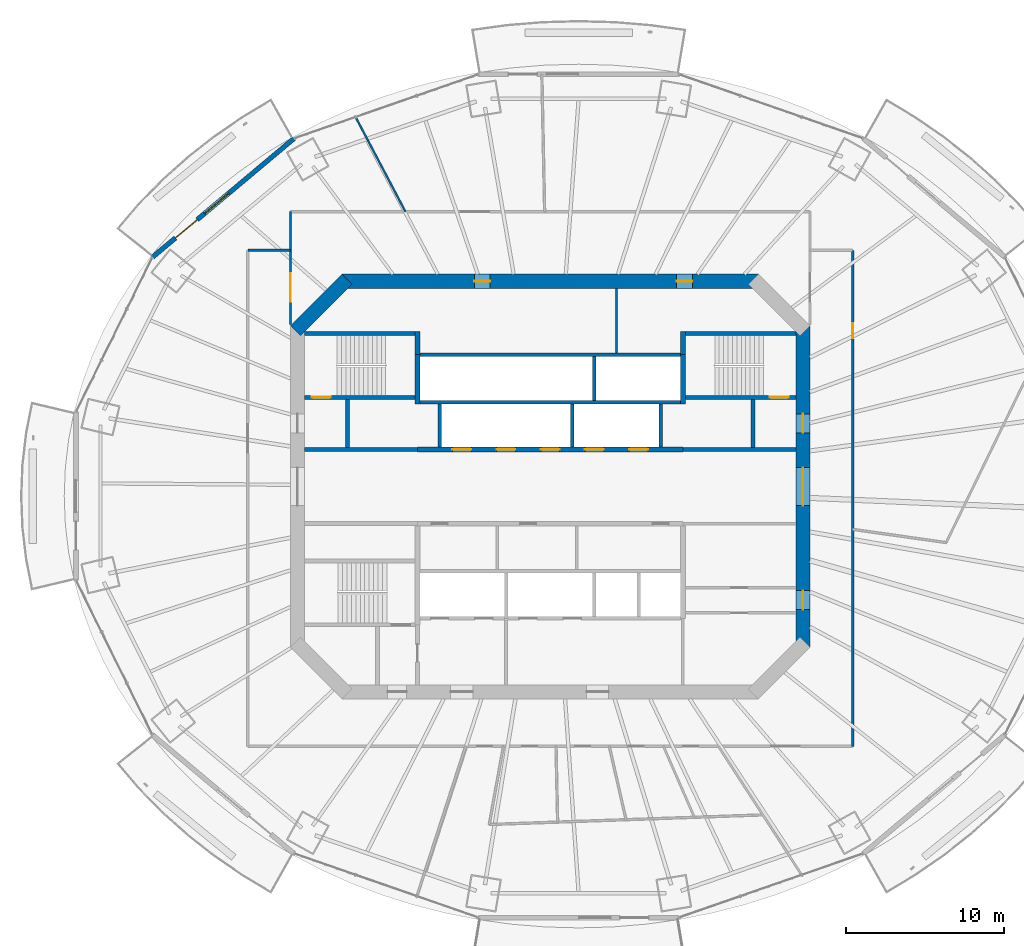
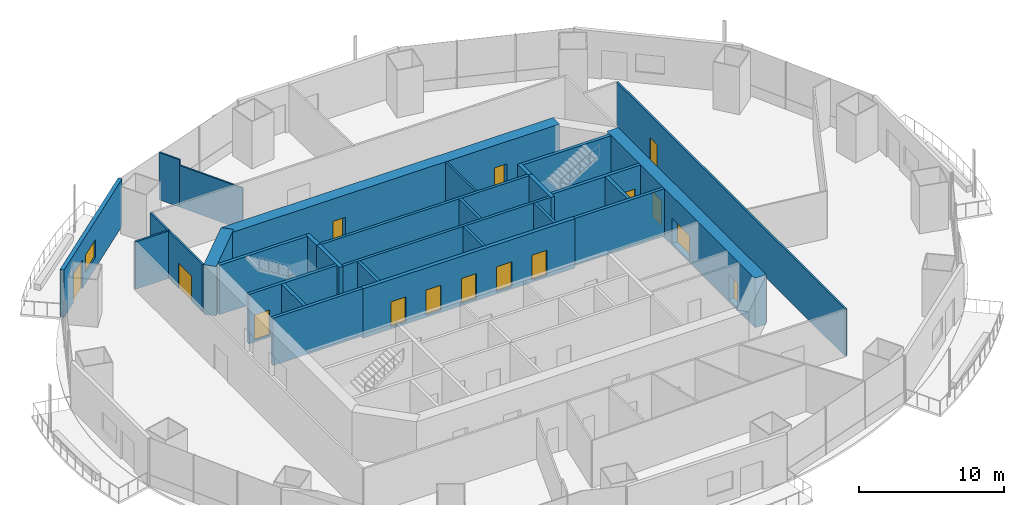
# One storey, part 13 of 20: 29 walls, 15 doors, 1 window, 16 openings.
"""IFC4 building model written with IfcOpenShell, lengths in metres."""

from ifc_helpers import new_model, si_unit, direction, frame, frame_2d, origin, place, context, subcontext, project, spatial, rectangle, extrude, material, layer, layer_set, type_object, element, fill, save


model = new_model("IFC4")

# Units and contexts
model_context = context("Model", 3, precision=1e-05, world=origin(), true_north=direction((0.0, 1.0)))
body_context = subcontext(model_context, "Body", "Model", "MODEL_VIEW")
ifc_project = project(units=[si_unit("LENGTHUNIT", "METRE"), si_unit("AREAUNIT", "SQUARE_METRE"), si_unit("VOLUMEUNIT", "CUBIC_METRE"), si_unit("PLANEANGLEUNIT", "RADIAN"), si_unit("MASSUNIT", "GRAM", prefix="KILO")], contexts=[model_context])

# Site, building, storey
site_placement = place(None, origin())
site = spatial("IfcSite", under=ifc_project, at=site_placement, CompositionType="ELEMENT")
building_placement = place(site_placement, origin())
building = spatial("IfcBuilding", under=site, at=building_placement, Name="Marenthal Gate Tower", CompositionType="ELEMENT")
storey_placement = place(building_placement, frame((0.0, 0.0, 177.64990234375)))
storey = spatial("IfcBuildingStorey", under=building, at=storey_placement, Name="L38", CompositionType="ELEMENT", Elevation=177.64990234375)

# Wall, openings, doors
ifc_material_1 = material(Name="Concrete 60 MPa", Category="concrete")
ifc_layer_1 = layer(ifc_material_1, 0.89990234375)
ifc_layer_set_1 = layer_set([ifc_layer_1], Name="Core shear wall 900")
wall_type_1 = type_object("IfcWallType", Name="Core shear wall 900", PredefinedType="SHEAR", material=ifc_layer_set_1)
wall_1_placement = place(storey_placement, frame((16.0, -10.186279296875, -0.179931640625), z_axis=(0.0, 0.0, 1.0), x_axis=(0.0, 1.0, 0.0)))
wall_1 = element("IfcWall", 1, at=wall_1_placement, inside=storey, type_object=wall_type_1, Name="Core wall 02", PredefinedType="SHEAR", context=body_context, shape_type="SweptSolid", body=[
    extrude(rectangle(XDim=20.37255859375, YDim=0.89990234375, at=frame_2d((10.186279296875, 0.0))), origin(), (0.0, 0.0, 1.0), 4.150146484375),
])
opening_1_placement = place(wall_1_placement, frame((8.986328125, 0.0, 0.179931640625)))
opening_1 = element("IfcOpeningElement", 2, at=opening_1_placement, cuts=wall_1, Name="Opening D003.02", PredefinedType="OPENING", context=body_context, shape_type="SweptSolid", body=[
    extrude(rectangle(XDim=2.39990234375, YDim=2.10009765625, at=frame_2d((1.199951171875, 1.050048828125))), frame((0.0, 0.4599609375, 0.0), z_axis=(0.0, -1.0, 0.0), x_axis=(1.0, 0.0, 0.0)), (0.0, 0.0, 1.0), 0.919921875),
])
opening_2_placement = place(wall_1_placement, frame((13.58642578125, 0.0, 0.179931640625)))
opening_2 = element("IfcOpeningElement", 3, at=opening_2_placement, cuts=wall_1, Name="Opening D001.05", PredefinedType="OPENING", context=body_context, shape_type="SweptSolid", body=[
    extrude(rectangle(XDim=1.199951171875, YDim=2.10009765625, at=frame_2d((0.60009765625, 1.050048828125))), frame((0.0, 0.4599609375, 0.0), z_axis=(0.0, -1.0, 0.0), x_axis=(1.0, 0.0, 0.0)), (0.0, 0.0, 1.0), 0.919921875),
])
opening_3_placement = place(wall_1_placement, frame((2.39990234375, 0.0, 0.179931640625)))
opening_3 = element("IfcOpeningElement", 4, at=opening_3_placement, cuts=wall_1, Name="Opening D006.01", PredefinedType="OPENING", context=body_context, shape_type="SweptSolid", body=[
    extrude(rectangle(XDim=1.199951171875, YDim=2.10009765625, at=frame_2d((0.60009765625, 1.050048828125))), frame((0.0, 0.4599609375, 0.0), z_axis=(0.0, -1.0, 0.0), x_axis=(1.0, 0.0, 0.0)), (0.0, 0.0, 1.0), 0.919921875),
])
ifc_material_2 = material(Name="Steel fire door", Category="steel")
door_type_1 = type_object("IfcDoorType", Name="Double fire door FD 45 2400 x 2100", OperationType="DOUBLE_DOOR_SINGLE_SWING", PredefinedType="DOOR", material=ifc_material_2)
door_1_placement = place(opening_1_placement, origin())
door_1 = element("IfcDoor", 5, at=door_1_placement, inside=storey, type_object=door_type_1, Name="Door D003.02", OperationType="DOUBLE_DOOR_SINGLE_SWING", OverallHeight=2.10009765625, OverallWidth=2.39990234375, PredefinedType="DOOR", context=body_context, shape_type="SweptSolid", body=[
    extrude(rectangle(XDim=2.39990234375, YDim=2.10009765625, at=frame_2d((1.199951171875, 1.050048828125))), frame((0.0, 0.02490234375, 0.0), z_axis=(0.0, -1.0, 0.0), x_axis=(1.0, 0.0, 0.0)), (0.0, 0.0, 1.0), 0.050048828125),
])
fill(opening_1, door_1)
ifc_material_3 = material(Name="Steel fire door", Category="steel")
door_type_2 = type_object("IfcDoorType", Name="Fire door FD 45 1200 x 2100", OperationType="NOTDEFINED", PredefinedType="DOOR", material=ifc_material_3)
door_2_placement = place(opening_3_placement, origin())
door_2 = element("IfcDoor", 6, at=door_2_placement, inside=storey, type_object=door_type_2, Name="Door D006.01", OperationType="SINGLE_SWING_RIGHT", OverallHeight=2.10009765625, OverallWidth=1.199951171875, PredefinedType="DOOR", context=body_context, shape_type="SweptSolid", body=[
    extrude(rectangle(XDim=1.199951171875, YDim=2.10009765625, at=frame_2d((0.60009765625, 1.050048828125))), frame((0.0, 0.02490234375, 0.0), z_axis=(0.0, -1.0, 0.0), x_axis=(1.0, 0.0, 0.0)), (0.0, 0.0, 1.0), 0.050048828125),
])
fill(opening_3, door_2)
ifc_material_4 = material(Name="Steel fire door", Category="steel")
door_type_3 = type_object("IfcDoorType", Name="Fire door FD 90 1200 x 2100", OperationType="NOTDEFINED", PredefinedType="DOOR", material=ifc_material_4)
door_3_placement = place(opening_2_placement, origin())
door_3 = element("IfcDoor", 7, at=door_3_placement, inside=storey, type_object=door_type_3, Name="Door D001.05", OperationType="SINGLE_SWING_RIGHT", OverallHeight=2.10009765625, OverallWidth=1.199951171875, PredefinedType="DOOR", context=body_context, shape_type="SweptSolid", body=[
    extrude(rectangle(XDim=1.199951171875, YDim=2.10009765625, at=frame_2d((0.60009765625, 1.050048828125))), frame((0.0, 0.02490234375, 0.0), z_axis=(0.0, -1.0, 0.0), x_axis=(1.0, 0.0, 0.0)), (0.0, 0.0, 1.0), 0.050048828125),
])
fill(opening_2, door_3)

wall_2_placement = place(storey_placement, frame((13.186279296875, 13.0, -0.179931640625), z_axis=(0.0, 0.0, 1.0), x_axis=(-1.0, 0.0, 0.0)))
wall_2 = element("IfcWall", 8, at=wall_2_placement, inside=storey, type_object=wall_type_1, Name="Core wall 04", PredefinedType="SHEAR", context=body_context, shape_type="SweptSolid", body=[
    extrude(rectangle(XDim=26.37255859375, YDim=0.89990234375, at=frame_2d((13.186279296875, 0.0))), origin(), (0.0, 0.0, 1.0), 4.150146484375),
])
opening_4_placement = place(wall_2_placement, frame((16.993408203125, 0.0, 0.179931640625)))
opening_4 = element("IfcOpeningElement", 9, at=opening_4_placement, cuts=wall_2, Name="Opening D005.04", PredefinedType="OPENING", context=body_context, shape_type="SweptSolid", body=[
    extrude(rectangle(XDim=1.0, YDim=2.10009765625, at=frame_2d((0.5, 1.050048828125))), frame((0.0, 0.4599609375, 0.0), z_axis=(0.0, -1.0, 0.0), x_axis=(1.0, 0.0, 0.0)), (0.0, 0.0, 1.0), 0.919921875),
])
opening_5_placement = place(wall_2_placement, frame((4.179443359375, 0.0, 0.179931640625)))
opening_5 = element("IfcOpeningElement", 10, at=opening_5_placement, cuts=wall_2, Name="Opening D005.05", PredefinedType="OPENING", context=body_context, shape_type="SweptSolid", body=[
    extrude(rectangle(XDim=1.0, YDim=2.10009765625, at=frame_2d((0.5, 1.050048828125))), frame((0.0, 0.4599609375, 0.0), z_axis=(0.0, -1.0, 0.0), x_axis=(1.0, 0.0, 0.0)), (0.0, 0.0, 1.0), 0.919921875),
])
ifc_material_5 = material(Name="Steel fire door", Category="steel")
door_type_4 = type_object("IfcDoorType", Name="Fire door FD 45 1000 x 2100", OperationType="NOTDEFINED", PredefinedType="DOOR", material=ifc_material_5)
door_4_placement = place(opening_4_placement, origin())
door_4 = element("IfcDoor", 11, at=door_4_placement, inside=storey, type_object=door_type_4, Name="Door D005.04", OperationType="SINGLE_SWING_RIGHT", OverallHeight=2.10009765625, OverallWidth=1.0, PredefinedType="DOOR", context=body_context, shape_type="SweptSolid", body=[
    extrude(rectangle(XDim=1.0, YDim=2.10009765625, at=frame_2d((0.5, 1.050048828125))), frame((0.0, 0.02490234375, 0.0), z_axis=(0.0, -1.0, 0.0), x_axis=(1.0, 0.0, 0.0)), (0.0, 0.0, 1.0), 0.050048828125),
])
fill(opening_4, door_4)
door_5_placement = place(opening_5_placement, origin())
door_5 = element("IfcDoor", 12, at=door_5_placement, inside=storey, type_object=door_type_4, Name="Door D005.05", OperationType="SINGLE_SWING_RIGHT", OverallHeight=2.10009765625, OverallWidth=1.0, PredefinedType="DOOR", context=body_context, shape_type="SweptSolid", body=[
    extrude(rectangle(XDim=1.0, YDim=2.10009765625, at=frame_2d((0.5, 1.050048828125))), frame((0.0, 0.02490234375, 0.0), z_axis=(0.0, -1.0, 0.0), x_axis=(1.0, 0.0, 0.0)), (0.0, 0.0, 1.0), 0.050048828125),
])
fill(opening_5, door_5)

# Wall
wall_3_placement = place(storey_placement, frame((-12.8681640625, 13.1318359375, -0.179931640625), z_axis=(0.0, 0.0, 1.0), x_axis=(-0.707106781187, -0.707106781187, 0.0)))
element("IfcWall", 13, at=wall_3_placement, inside=storey, type_object=wall_type_1, Name="Core wall 05", PredefinedType="SHEAR", context=body_context, shape_type="SweptSolid", body=[
    extrude(rectangle(XDim=4.615478515625, YDim=0.89990234375, at=frame_2d((2.3076171875, 0.0))), origin(), (0.0, 0.0, 1.0), 4.150146484375),
])

# Wall, openings, doors
ifc_material_6 = material(Name="Concrete 50 MPa", Category="concrete")
ifc_layer_2 = layer(ifc_material_6, 0.300048828125)
ifc_layer_set_2 = layer_set([ifc_layer_2], Name="Hoistway shear wall 300")
wall_type_2 = type_object("IfcWallType", Name="Hoistway shear wall 300", PredefinedType="SHEAR", material=ifc_layer_set_2)
wall_4_placement = place(storey_placement, frame((-8.39990234375, 2.35009765625, -0.179931640625), z_axis=(0.0, 0.0, 1.0), x_axis=(1.0, 0.0, 0.0)))
wall_4 = element("IfcWall", 14, at=wall_4_placement, inside=storey, type_object=wall_type_2, Name="Hoistway wall 20", PredefinedType="SHEAR", context=body_context, shape_type="SweptSolid", body=[
    extrude(rectangle(XDim=16.7998046875, YDim=0.300048828125, at=frame_2d((8.39990234375, 0.0))), origin(), (0.0, 0.0, 1.0), 4.150146484375),
])
opening_6_placement = place(wall_4_placement, frame((2.199951171875, 0.0, 0.179931640625)))
opening_6 = element("IfcOpeningElement", 15, at=opening_6_placement, cuts=wall_4, Name="Opening LD-MP1", PredefinedType="OPENING", context=body_context, shape_type="SweptSolid", body=[
    extrude(rectangle(XDim=1.199951171875, YDim=2.10009765625, at=frame_2d((0.60009765625, 1.050048828125))), frame((0.0, 0.16015625, 0.0), z_axis=(0.0, -1.0, 0.0), x_axis=(1.0, 0.0, 0.0)), (0.0, 0.0, 1.0), 0.320068359375),
])
opening_7_placement = place(wall_4_placement, frame((5.0, 0.0, 0.179931640625)))
opening_7 = element("IfcOpeningElement", 16, at=opening_7_placement, cuts=wall_4, Name="Opening LD-MP2", PredefinedType="OPENING", context=body_context, shape_type="SweptSolid", body=[
    extrude(rectangle(XDim=1.199951171875, YDim=2.10009765625, at=frame_2d((0.60009765625, 1.050048828125))), frame((0.0, 0.16015625, 0.0), z_axis=(0.0, -1.0, 0.0), x_axis=(1.0, 0.0, 0.0)), (0.0, 0.0, 1.0), 0.320068359375),
])
opening_8_placement = place(wall_4_placement, frame((7.800048828125, 0.0, 0.179931640625)))
opening_8 = element("IfcOpeningElement", 17, at=opening_8_placement, cuts=wall_4, Name="Opening LD-MP3", PredefinedType="OPENING", context=body_context, shape_type="SweptSolid", body=[
    extrude(rectangle(XDim=1.199951171875, YDim=2.10009765625, at=frame_2d((0.60009765625, 1.050048828125))), frame((0.0, 0.16015625, 0.0), z_axis=(0.0, -1.0, 0.0), x_axis=(1.0, 0.0, 0.0)), (0.0, 0.0, 1.0), 0.320068359375),
])
opening_9_placement = place(wall_4_placement, frame((10.60009765625, 0.0, 0.179931640625)))
opening_9 = element("IfcOpeningElement", 18, at=opening_9_placement, cuts=wall_4, Name="Opening LD-MP4", PredefinedType="OPENING", context=body_context, shape_type="SweptSolid", body=[
    extrude(rectangle(XDim=1.199951171875, YDim=2.10009765625, at=frame_2d((0.60009765625, 1.050048828125))), frame((0.0, 0.16015625, 0.0), z_axis=(0.0, -1.0, 0.0), x_axis=(1.0, 0.0, 0.0)), (0.0, 0.0, 1.0), 0.320068359375),
])
opening_10_placement = place(wall_4_placement, frame((13.39990234375, 0.0, 0.179931640625)))
opening_10 = element("IfcOpeningElement", 19, at=opening_10_placement, cuts=wall_4, Name="Opening LD-MP5", PredefinedType="OPENING", context=body_context, shape_type="SweptSolid", body=[
    extrude(rectangle(XDim=1.199951171875, YDim=2.10009765625, at=frame_2d((0.60009765625, 1.050048828125))), frame((0.0, 0.16015625, 0.0), z_axis=(0.0, -1.0, 0.0), x_axis=(1.0, 0.0, 0.0)), (0.0, 0.0, 1.0), 0.320068359375),
])
ifc_material_7 = material(Name="Stainless steel sliding door", Category="steel")
door_type_5 = type_object("IfcDoorType", Name="Lift landing door FD 90 1200 x 2100", OperationType="DOUBLE_DOOR_SLIDING", PredefinedType="DOOR", material=ifc_material_7)
door_6_placement = place(opening_6_placement, origin())
door_6 = element("IfcDoor", 20, at=door_6_placement, inside=storey, type_object=door_type_5, Name="Lift landing door MP1", OperationType="DOUBLE_DOOR_SLIDING", OverallHeight=2.10009765625, OverallWidth=1.199951171875, PredefinedType="DOOR", context=body_context, shape_type="SweptSolid", body=[
    extrude(rectangle(XDim=1.199951171875, YDim=2.10009765625, at=frame_2d((0.60009765625, 1.050048828125))), frame((0.0, 0.02490234375, 0.0), z_axis=(0.0, -1.0, 0.0), x_axis=(1.0, 0.0, 0.0)), (0.0, 0.0, 1.0), 0.050048828125),
])
fill(opening_6, door_6)
door_7_placement = place(opening_7_placement, origin())
door_7 = element("IfcDoor", 21, at=door_7_placement, inside=storey, type_object=door_type_5, Name="Lift landing door MP2", OperationType="DOUBLE_DOOR_SLIDING", OverallHeight=2.10009765625, OverallWidth=1.199951171875, PredefinedType="DOOR", context=body_context, shape_type="SweptSolid", body=[
    extrude(rectangle(XDim=1.199951171875, YDim=2.10009765625, at=frame_2d((0.60009765625, 1.050048828125))), frame((0.0, 0.02490234375, 0.0), z_axis=(0.0, -1.0, 0.0), x_axis=(1.0, 0.0, 0.0)), (0.0, 0.0, 1.0), 0.050048828125),
])
fill(opening_7, door_7)
door_8_placement = place(opening_8_placement, origin())
door_8 = element("IfcDoor", 22, at=door_8_placement, inside=storey, type_object=door_type_5, Name="Lift landing door MP3", OperationType="DOUBLE_DOOR_SLIDING", OverallHeight=2.10009765625, OverallWidth=1.199951171875, PredefinedType="DOOR", context=body_context, shape_type="SweptSolid", body=[
    extrude(rectangle(XDim=1.199951171875, YDim=2.10009765625, at=frame_2d((0.60009765625, 1.050048828125))), frame((0.0, 0.02490234375, 0.0), z_axis=(0.0, -1.0, 0.0), x_axis=(1.0, 0.0, 0.0)), (0.0, 0.0, 1.0), 0.050048828125),
])
fill(opening_8, door_8)
door_9_placement = place(opening_9_placement, origin())
door_9 = element("IfcDoor", 23, at=door_9_placement, inside=storey, type_object=door_type_5, Name="Lift landing door MP4", OperationType="DOUBLE_DOOR_SLIDING", OverallHeight=2.10009765625, OverallWidth=1.199951171875, PredefinedType="DOOR", context=body_context, shape_type="SweptSolid", body=[
    extrude(rectangle(XDim=1.199951171875, YDim=2.10009765625, at=frame_2d((0.60009765625, 1.050048828125))), frame((0.0, 0.02490234375, 0.0), z_axis=(0.0, -1.0, 0.0), x_axis=(1.0, 0.0, 0.0)), (0.0, 0.0, 1.0), 0.050048828125),
])
fill(opening_9, door_9)
door_10_placement = place(opening_10_placement, origin())
door_10 = element("IfcDoor", 24, at=door_10_placement, inside=storey, type_object=door_type_5, Name="Lift landing door MP5", OperationType="DOUBLE_DOOR_SLIDING", OverallHeight=2.10009765625, OverallWidth=1.199951171875, PredefinedType="DOOR", context=body_context, shape_type="SweptSolid", body=[
    extrude(rectangle(XDim=1.199951171875, YDim=2.10009765625, at=frame_2d((0.60009765625, 1.050048828125))), frame((0.0, 0.02490234375, 0.0), z_axis=(0.0, -1.0, 0.0), x_axis=(1.0, 0.0, 0.0)), (0.0, 0.0, 1.0), 0.050048828125),
])
fill(opening_10, door_10)

# Walls
for number, where, z_axis, x_axis, name in (
    (25, (-8.39990234375, 5.239990234375, -0.179931640625), (0.0, 0.0, 1.0), (0.0, 1.0, 0.0), "Hoistway wall 32"),
    (26, (8.39990234375, 5.239990234375, -0.179931640625), (0.0, 0.0, 1.0), (0.0, 1.0, 0.0), "Hoistway wall 47"),
):
    element("IfcWall", number, at=place(storey_placement, frame(where, z_axis=z_axis, x_axis=x_axis)), inside=storey, type_object=wall_type_2, Name=name, PredefinedType="SHEAR", context=body_context, shape_type="SweptSolid", body=[
        extrude(rectangle(XDim=3.110107421875, YDim=0.300048828125, at=frame_2d((1.55517578125, 0.0))), origin(), (0.0, 0.0, 1.0), 4.150146484375),
    ])
ifc_material_8 = material(Name="Concrete 40 MPa", Category="concrete")
ifc_layer_3 = layer(ifc_material_8, 0.219970703125)
ifc_layer_set_3 = layer_set([ifc_layer_3], Name="Hoistway wall 220")
wall_type_3 = type_object("IfcWallType", Name="Hoistway wall 220", PredefinedType="STANDARD", material=ifc_layer_set_3)
for number, where, z_axis, x_axis, name in (
    (27, (-8.25, 5.35009765625, 0.0), (0.0, 0.0, 1.0), (1.0, 0.0, 0.0), "Hoistway wall 22"),
    (28, (-8.25, 8.35009765625, 0.0), (0.0, 0.0, 1.0), (1.0, 0.0, 0.0), "Hoistway wall 25"),
):
    element("IfcWall", number, at=place(storey_placement, frame(where, z_axis=z_axis, x_axis=x_axis)), inside=storey, type_object=wall_type_3, Name=name, PredefinedType="STANDARD", context=body_context, shape_type="SweptSolid", body=[
        extrude(rectangle(XDim=16.5, YDim=0.219970703125, at=frame_2d((8.25, 0.0))), origin(), (0.0, 0.0, 1.0), 3.97021484375),
    ])
for number, where, z_axis, x_axis, name in (
    (29, (-7.0, 2.5, 0.0), (0.0, 0.0, 1.0), (0.0, 1.0, 0.0), "Hoistway wall 34"),
    (30, (1.39990234375, 2.5, 0.0), (0.0, 0.0, 1.0), (0.0, 1.0, 0.0), "Hoistway wall 38"),
):
    element("IfcWall", number, at=place(storey_placement, frame(where, z_axis=z_axis, x_axis=x_axis)), inside=storey, type_object=wall_type_3, Name=name, PredefinedType="STANDARD", context=body_context, shape_type="SweptSolid", body=[
        extrude(rectangle(XDim=2.739990234375, YDim=0.219970703125, at=frame_2d((1.3701171875, 0.0))), origin(), (0.0, 0.0, 1.0), 3.97021484375),
    ])
wall_5_placement = place(storey_placement, frame((2.800048828125, 5.4599609375, 0.0), z_axis=(0.0, 0.0, 1.0), x_axis=(0.0, 1.0, 0.0)))
element("IfcWall", 31, at=wall_5_placement, inside=storey, type_object=wall_type_3, Name="Hoistway wall 41", PredefinedType="STANDARD", context=body_context, shape_type="SweptSolid", body=[
    extrude(rectangle(XDim=2.780029296875, YDim=0.219970703125, at=frame_2d((1.39013671875, 0.0))), origin(), (0.0, 0.0, 1.0), 3.97021484375),
])
wall_6_placement = place(storey_placement, frame((7.0, 2.5, 0.0), z_axis=(0.0, 0.0, 1.0), x_axis=(0.0, 1.0, 0.0)))
element("IfcWall", 32, at=wall_6_placement, inside=storey, type_object=wall_type_3, Name="Hoistway wall 44", PredefinedType="STANDARD", context=body_context, shape_type="SweptSolid", body=[
    extrude(rectangle(XDim=2.739990234375, YDim=0.219970703125, at=frame_2d((1.3701171875, 0.0))), origin(), (0.0, 0.0, 1.0), 3.97021484375),
])
ifc_material_9 = material(Name="Gypsum board on steel studs", Category="steel")
ifc_layer_4 = layer(ifc_material_9, 0.1201171875)
ifc_layer_set_4 = layer_set([ifc_layer_4], Name="Partition 120")
wall_type_4 = type_object("IfcWallType", Name="Partition 120", PredefinedType="PARTITIONING", material=ifc_layer_set_4)
wall_7_placement = place(storey_placement, frame((-9.169189453125, 17.408935546875, 0.0), z_axis=(0.0, 0.0, 1.0), x_axis=(-0.466012759034, 0.88477799951, 0.0)))
element("IfcWall", 33, at=wall_7_placement, inside=storey, type_object=wall_type_4, Name="Partition wall 54", PredefinedType="PARTITIONING", context=body_context, shape_type="SweptSolid", body=[
    extrude(rectangle(XDim=5.10009765625, YDim=0.1201171875, at=frame_2d((2.550048828125, 0.0))), origin(), (0.0, 0.0, 1.0), 3.503173828125),
])
wall_8_placement = place(storey_placement, frame((-11.5458984375, 21.92138671875, 0.0), z_axis=(0.0, 0.0, 1.0), x_axis=(-0.465981879328, 0.88479426317, 0.0)))
element("IfcWall", 34, at=wall_8_placement, inside=storey, type_object=wall_type_4, Name="Partition wall 70", PredefinedType="PARTITIONING", context=body_context, shape_type="SweptSolid", body=[
    extrude(rectangle(XDim=1.66650390625, YDim=0.1201171875, at=frame_2d((0.833251953125, 0.0))), origin(), (0.0, 0.0, 1.0), 3.97021484375),
])
ifc_material_10 = material(Name="Gypsum board on steel studs", Category="steel")
ifc_layer_5 = layer(ifc_material_10, 0.14990234375)
ifc_layer_set_5 = layer_set([ifc_layer_5], Name="Partition 150")
wall_type_5 = type_object("IfcWallType", Name="Partition 150", PredefinedType="PARTITIONING", material=ifc_layer_set_5)
wall_9_placement = place(storey_placement, frame((4.199951171875, 8.4599609375, 0.0), z_axis=(0.0, 0.0, 1.0), x_axis=(0.0, 1.0, 0.0)))
element("IfcWall", 35, at=wall_9_placement, inside=storey, type_object=wall_type_5, Name="Partition wall 42", PredefinedType="PARTITIONING", context=body_context, shape_type="SweptSolid", body=[
    extrude(rectangle(XDim=4.090087890625, YDim=0.14990234375, at=frame_2d((2.044921875, 0.0))), origin(), (0.0, 0.0, 1.0), 3.97021484375),
])
wall_10_placement = place(storey_placement, frame((-19.14990234375, 14.954833984375, 0.0), z_axis=(0.0, 0.0, 1.0), x_axis=(1.0, 0.0, 0.0)))
element("IfcWall", 36, at=wall_10_placement, inside=storey, type_object=wall_type_5, Name="Partition wall 51", PredefinedType="PARTITIONING", context=body_context, shape_type="SweptSolid", body=[
    extrude(rectangle(XDim=2.699951171875, YDim=0.14990234375, at=frame_2d((1.35009765625, 0.0))), origin(), (0.0, 0.0, 1.0), 3.97021484375),
])

# Wall, opening, door
wall_11_placement = place(storey_placement, frame((-16.449951171875, 10.25, 0.0), z_axis=(0.0, 0.0, 1.0), x_axis=(0.0, 1.0, 0.0)))
wall_11 = element("IfcWall", 37, at=wall_11_placement, inside=storey, type_object=wall_type_5, Name="Partition wall 52", PredefinedType="PARTITIONING", context=body_context, shape_type="SweptSolid", body=[
    extrude(rectangle(XDim=7.158935546875, YDim=0.14990234375, at=frame_2d((3.57958984375, 0.0))), origin(), (0.0, 0.0, 1.0), 3.97021484375),
])
opening_11_placement = place(wall_11_placement, frame((1.451904296875, 0.0, 0.0)))
opening_11 = element("IfcOpeningElement", 38, at=opening_11_placement, cuts=wall_11, Name="Opening D014.04", PredefinedType="OPENING", context=body_context, shape_type="SweptSolid", body=[
    extrude(rectangle(XDim=1.800048828125, YDim=2.10009765625, at=frame_2d((0.89990234375, 1.050048828125))), frame((0.0, 0.0849609375, 0.0), z_axis=(0.0, -1.0, 0.0), x_axis=(1.0, 0.0, 0.0)), (0.0, 0.0, 1.0), 0.169921875),
])
ifc_material_11 = material(Name="Timber door", Category="wood")
door_type_6 = type_object("IfcDoorType", Name="Double door 1800 x 2100", OperationType="DOUBLE_DOOR_SINGLE_SWING", PredefinedType="DOOR", material=ifc_material_11)
door_11_placement = place(opening_11_placement, origin())
door_11 = element("IfcDoor", 39, at=door_11_placement, inside=storey, type_object=door_type_6, Name="Door D014.04", OperationType="DOUBLE_DOOR_SINGLE_SWING", OverallHeight=2.10009765625, OverallWidth=1.800048828125, PredefinedType="DOOR", context=body_context, shape_type="SweptSolid", body=[
    extrude(rectangle(XDim=1.800048828125, YDim=2.10009765625, at=frame_2d((0.89990234375, 1.050048828125))), frame((0.0, 0.02490234375, 0.0), z_axis=(0.0, -1.0, 0.0), x_axis=(1.0, 0.0, 0.0)), (0.0, 0.0, 1.0), 0.050048828125),
])
fill(opening_11, door_11)

wall_12_placement = place(storey_placement, frame((19.14990234375, 14.954833984375, 0.0), z_axis=(0.0, 0.0, 1.0), x_axis=(0.0, -1.0, 0.0)))
wall_12 = element("IfcWall", 40, at=wall_12_placement, inside=storey, type_object=wall_type_5, Name="Partition wall 66", PredefinedType="PARTITIONING", context=body_context, shape_type="SweptSolid", body=[
    extrude(rectangle(XDim=31.40478515625, YDim=0.14990234375, at=frame_2d((15.702392578125, 0.0))), origin(), (0.0, 0.0, 1.0), 3.97021484375),
])
opening_12_placement = place(wall_12_placement, frame((4.612060546875, 0.0, 0.0)))
opening_12 = element("IfcOpeningElement", 41, at=opening_12_placement, cuts=wall_12, Name="Opening D016.06", PredefinedType="OPENING", context=body_context, shape_type="SweptSolid", body=[
    extrude(rectangle(XDim=0.949951171875, YDim=2.10009765625, at=frame_2d((0.47509765625, 1.050048828125))), frame((0.0, 0.0849609375, 0.0), z_axis=(0.0, -1.0, 0.0), x_axis=(1.0, 0.0, 0.0)), (0.0, 0.0, 1.0), 0.169921875),
])
ifc_material_12 = material(Name="Timber door", Category="wood")
door_type_7 = type_object("IfcDoorType", Name="Door 950 x 2100", OperationType="NOTDEFINED", PredefinedType="DOOR", material=ifc_material_12)
door_12_placement = place(opening_12_placement, frame((0.949951171875, 0.0, 0.0), z_axis=(0.0, 0.0, 1.0), x_axis=(-1.0, 0.0, 0.0)))
door_12 = element("IfcDoor", 42, at=door_12_placement, inside=storey, type_object=door_type_7, Name="Door D016.06", OperationType="SINGLE_SWING_LEFT", OverallHeight=2.10009765625, OverallWidth=0.949951171875, PredefinedType="DOOR", context=body_context, shape_type="SweptSolid", body=[
    extrude(rectangle(XDim=0.949951171875, YDim=2.10009765625, at=frame_2d((0.47509765625, 1.050048828125))), frame((0.0, 0.02490234375, 0.0), z_axis=(0.0, -1.0, 0.0), x_axis=(1.0, 0.0, 0.0)), (0.0, 0.0, 1.0), 0.050048828125),
])
fill(opening_12, door_12)

# Walls
ifc_material_13 = material(Name="Concrete 40 MPa", Category="concrete")
ifc_layer_6 = layer(ifc_material_13, 0.25)
ifc_layer_set_6 = layer_set([ifc_layer_6], Name="Stair enclosure wall 250")
wall_type_6 = type_object("IfcWallType", Name="Stair enclosure wall 250", PredefinedType="STANDARD", material=ifc_layer_set_6)
for number, where, z_axis, x_axis, name in (
    (43, (-15.550048828125, 2.35009765625, 0.0), (0.0, 0.0, 1.0), (1.0, 0.0, 0.0), "Stair wall 19"),
    (44, (8.39990234375, 2.35009765625, 0.0), (0.0, 0.0, 1.0), (1.0, 0.0, 0.0), "Stair wall 21"),
):
    element("IfcWall", number, at=place(storey_placement, frame(where, z_axis=z_axis, x_axis=x_axis)), inside=storey, type_object=wall_type_6, Name=name, PredefinedType="STANDARD", context=body_context, shape_type="SweptSolid", body=[
        extrude(rectangle(XDim=7.150146484375, YDim=0.25, at=frame_2d((3.5751953125, 0.0))), origin(), (0.0, 0.0, 1.0), 3.97021484375),
    ])
for number, where, z_axis, x_axis, name in (
    (45, (-12.85009765625, 2.47509765625, 0.0), (0.0, 0.0, 1.0), (0.0, 1.0, 0.0), "Stair wall 28"),
    (46, (12.85009765625, 2.47509765625, 0.0), (0.0, 0.0, 1.0), (0.0, 1.0, 0.0), "Stair wall 49"),
):
    element("IfcWall", number, at=place(storey_placement, frame(where, z_axis=z_axis, x_axis=x_axis)), inside=storey, type_object=wall_type_6, Name=name, PredefinedType="STANDARD", context=body_context, shape_type="SweptSolid", body=[
        extrude(rectangle(XDim=3.0498046875, YDim=0.25, at=frame_2d((1.52490234375, 0.0))), origin(), (0.0, 0.0, 1.0), 3.97021484375),
    ])

# Wall, opening, door
ifc_material_14 = material(Name="Concrete 50 MPa", Category="concrete")
ifc_layer_7 = layer(ifc_material_14, 0.25)
ifc_layer_set_7 = layer_set([ifc_layer_7], Name="Stair shear wall 250")
wall_type_7 = type_object("IfcWallType", Name="Stair shear wall 250", PredefinedType="SHEAR", material=ifc_layer_set_7)
wall_13_placement = place(storey_placement, frame((-15.550048828125, 5.64990234375, -0.179931640625), z_axis=(0.0, 0.0, 1.0), x_axis=(1.0, 0.0, 0.0)))
wall_13 = element("IfcWall", 47, at=wall_13_placement, inside=storey, type_object=wall_type_7, Name="Stair wall 23", PredefinedType="SHEAR", context=body_context, shape_type="SweptSolid", body=[
    extrude(rectangle(XDim=7.0, YDim=0.25, at=frame_2d((3.5, 0.0))), origin(), (0.0, 0.0, 1.0), 4.150146484375),
])
opening_13_placement = place(wall_13_placement, frame((0.449951171875, 0.0, 0.179931640625)))
opening_13 = element("IfcOpeningElement", 48, at=opening_13_placement, cuts=wall_13, Name="Opening D001.01", PredefinedType="OPENING", context=body_context, shape_type="SweptSolid", body=[
    extrude(rectangle(XDim=1.199951171875, YDim=2.10009765625, at=frame_2d((0.60009765625, 1.050048828125))), frame((0.0, 0.135009765625, 0.0), z_axis=(0.0, -1.0, 0.0), x_axis=(1.0, 0.0, 0.0)), (0.0, 0.0, 1.0), 0.27001953125),
])
door_13_placement = place(opening_13_placement, origin())
door_13 = element("IfcDoor", 49, at=door_13_placement, inside=storey, type_object=door_type_3, Name="Door D001.01", OperationType="SINGLE_SWING_RIGHT", OverallHeight=2.10009765625, OverallWidth=1.199951171875, PredefinedType="DOOR", context=body_context, shape_type="SweptSolid", body=[
    extrude(rectangle(XDim=1.199951171875, YDim=2.10009765625, at=frame_2d((0.60009765625, 1.050048828125))), frame((0.0, 0.02490234375, 0.0), z_axis=(0.0, -1.0, 0.0), x_axis=(1.0, 0.0, 0.0)), (0.0, 0.0, 1.0), 0.050048828125),
])
fill(opening_13, door_13)

wall_14_placement = place(storey_placement, frame((8.550048828125, 5.64990234375, -0.179931640625), z_axis=(0.0, 0.0, 1.0), x_axis=(1.0, 0.0, 0.0)))
wall_14 = element("IfcWall", 50, at=wall_14_placement, inside=storey, type_object=wall_type_7, Name="Stair wall 24", PredefinedType="SHEAR", context=body_context, shape_type="SweptSolid", body=[
    extrude(rectangle(XDim=7.0, YDim=0.25, at=frame_2d((3.5, 0.0))), origin(), (0.0, 0.0, 1.0), 4.150146484375),
])
opening_14_placement = place(wall_14_placement, frame((5.35009765625, 0.0, 0.179931640625)))
opening_14 = element("IfcOpeningElement", 51, at=opening_14_placement, cuts=wall_14, Name="Opening D001.02", PredefinedType="OPENING", context=body_context, shape_type="SweptSolid", body=[
    extrude(rectangle(XDim=1.199951171875, YDim=2.10009765625, at=frame_2d((0.60009765625, 1.050048828125))), frame((0.0, 0.135009765625, 0.0), z_axis=(0.0, -1.0, 0.0), x_axis=(1.0, 0.0, 0.0)), (0.0, 0.0, 1.0), 0.27001953125),
])
door_14_placement = place(opening_14_placement, origin())
door_14 = element("IfcDoor", 52, at=door_14_placement, inside=storey, type_object=door_type_3, Name="Door D001.02", OperationType="SINGLE_SWING_RIGHT", OverallHeight=2.10009765625, OverallWidth=1.199951171875, PredefinedType="DOOR", context=body_context, shape_type="SweptSolid", body=[
    extrude(rectangle(XDim=1.199951171875, YDim=2.10009765625, at=frame_2d((0.60009765625, 1.050048828125))), frame((0.0, 0.02490234375, 0.0), z_axis=(0.0, -1.0, 0.0), x_axis=(1.0, 0.0, 0.0)), (0.0, 0.0, 1.0), 0.050048828125),
])
fill(opening_14, door_14)

# Walls
for number, where, z_axis, x_axis, name in (
    (53, (-15.550048828125, 9.699951171875, -0.179931640625), (0.0, 0.0, 1.0), (1.0, 0.0, 0.0), "Stair wall 26"),
    (54, (8.550048828125, 9.699951171875, -0.179931640625), (0.0, 0.0, 1.0), (1.0, 0.0, 0.0), "Stair wall 27"),
):
    element("IfcWall", number, at=place(storey_placement, frame(where, z_axis=z_axis, x_axis=x_axis)), inside=storey, type_object=wall_type_7, Name=name, PredefinedType="SHEAR", context=body_context, shape_type="SweptSolid", body=[
        extrude(rectangle(XDim=7.0, YDim=0.25, at=frame_2d((3.5, 0.0))), origin(), (0.0, 0.0, 1.0), 4.150146484375),
    ])
ifc_material_15 = material(Name="Concrete 50 MPa", Category="concrete")
ifc_layer_8 = layer(ifc_material_15, 0.300048828125)
ifc_layer_set_8 = layer_set([ifc_layer_8], Name="Stair shear wall 300")
wall_type_8 = type_object("IfcWallType", Name="Stair shear wall 300", PredefinedType="SHEAR", material=ifc_layer_set_8)
for number, where, z_axis, x_axis, name in (
    (55, (-8.39990234375, 8.35009765625, -0.179931640625), (0.0, 0.0, 1.0), (0.0, 1.0, 0.0), "Stair wall 33"),
    (56, (8.39990234375, 8.35009765625, -0.179931640625), (0.0, 0.0, 1.0), (0.0, 1.0, 0.0), "Stair wall 48"),
):
    element("IfcWall", number, at=place(storey_placement, frame(where, z_axis=z_axis, x_axis=x_axis)), inside=storey, type_object=wall_type_8, Name=name, PredefinedType="SHEAR", context=body_context, shape_type="SweptSolid", body=[
        extrude(rectangle(XDim=1.474853515625, YDim=0.300048828125, at=frame_2d((0.7373046875, 0.0))), origin(), (0.0, 0.0, 1.0), 4.150146484375),
    ])

# Wall, openings, door, window
ifc_material_16 = material(Name="Terracotta cladding on insulated concrete-block backing", Category="masonry")
ifc_layer_9 = layer(ifc_material_16, 0.300048828125)
ifc_layer_set_9 = layer_set([ifc_layer_9], Name="Terracotta facade wall 300")
wall_type_9 = type_object("IfcWallType", Name="Terracotta facade wall 300", PredefinedType="SOLIDWALL", material=ifc_layer_set_9)
wall_15_placement = place(storey_placement, frame((-16.232177734375, 22.03759765625, 0.0), z_axis=(0.0, 0.0, 1.0), x_axis=(-0.766150735347, -0.642660914268, 0.0)))
wall_15 = element("IfcWall", 57, at=wall_15_placement, inside=storey, type_object=wall_type_9, Name="Terracotta facade wall L38 bay 6", PredefinedType="SOLIDWALL", context=body_context, shape_type="SweptSolid", body=[
    extrude(rectangle(XDim=11.68798828125, YDim=0.300048828125, at=frame_2d((5.843994140625, 0.0))), origin(), (0.0, 0.0, 1.0), 3.97021484375),
])
opening_15_placement = place(wall_15_placement, frame((7.98828125, 0.0, 0.0)))
opening_15 = element("IfcOpeningElement", 58, at=opening_15_placement, cuts=wall_15, Name="Opening BD-L38-06", PredefinedType="OPENING", context=body_context, shape_type="SweptSolid", body=[
    extrude(rectangle(XDim=1.800048828125, YDim=2.39990234375, at=frame_2d((0.89990234375, 1.199951171875))), frame((0.0, 0.16015625, 0.0), z_axis=(0.0, -1.0, 0.0), x_axis=(1.0, 0.0, 0.0)), (0.0, 0.0, 1.0), 0.320068359375),
])
opening_16_placement = place(wall_15_placement, frame((5.38818359375, 0.0, 0.89990234375)))
opening_16 = element("IfcOpeningElement", 59, at=opening_16_placement, cuts=wall_15, Name="Opening WN2-L38-06", PredefinedType="OPENING", context=body_context, shape_type="SweptSolid", body=[
    extrude(rectangle(XDim=2.0, YDim=1.5, at=frame_2d((1.0, 0.75))), frame((0.0, 0.16015625, 0.0), z_axis=(0.0, -1.0, 0.0), x_axis=(1.0, 0.0, 0.0)), (0.0, 0.0, 1.0), 0.320068359375),
])
ifc_material_17 = material(Name="Aluminium and glass", Category="aluminium")
door_type_8 = type_object("IfcDoorType", Name="Balcony door 1800x2400", OperationType="DOUBLE_DOOR_SINGLE_SWING", PredefinedType="DOOR", material=ifc_material_17)
door_15_placement = place(opening_15_placement, origin())
door_15 = element("IfcDoor", 60, at=door_15_placement, inside=storey, type_object=door_type_8, Name="Balcony door L38 bay 6", OperationType="SINGLE_SWING_LEFT", OverallHeight=2.39990234375, OverallWidth=1.800048828125, PredefinedType="DOOR", context=body_context, shape_type="SweptSolid", body=[
    extrude(rectangle(XDim=1.800048828125, YDim=2.39990234375, at=frame_2d((0.89990234375, 1.199951171875))), frame((0.0, 0.02490234375, 0.0), z_axis=(0.0, -1.0, 0.0), x_axis=(1.0, 0.0, 0.0)), (0.0, 0.0, 1.0), 0.050048828125),
])
fill(opening_15, door_15)
ifc_material_18 = material(Name="Aluminium and glass", Category="aluminium")
window_type = type_object("IfcWindowType", Name="Window 2000x1500", PartitioningType="DOUBLE_PANEL_VERTICAL", PredefinedType="WINDOW", material=ifc_material_18)
window_placement = place(opening_16_placement, origin())
window = element("IfcWindow", 61, at=window_placement, inside=storey, type_object=window_type, Name="Window L38 bay 6", OverallHeight=1.5, OverallWidth=2.0, PartitioningType="SINGLE_PANEL", PredefinedType="WINDOW", context=body_context, shape_type="SweptSolid", body=[
    extrude(rectangle(XDim=2.0, YDim=1.5, at=frame_2d((1.0, 0.75))), frame((0.0, 0.030029296875, 0.0), z_axis=(0.0, -1.0, 0.0), x_axis=(1.0, 0.0, 0.0)), (0.0, 0.0, 1.0), 0.06005859375),
])
fill(opening_16, window)

save(model, "model.ifc")
